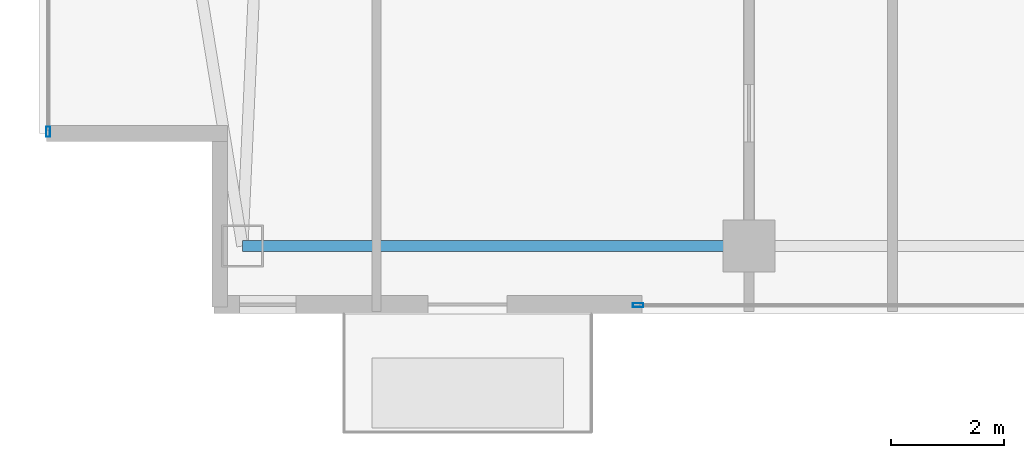
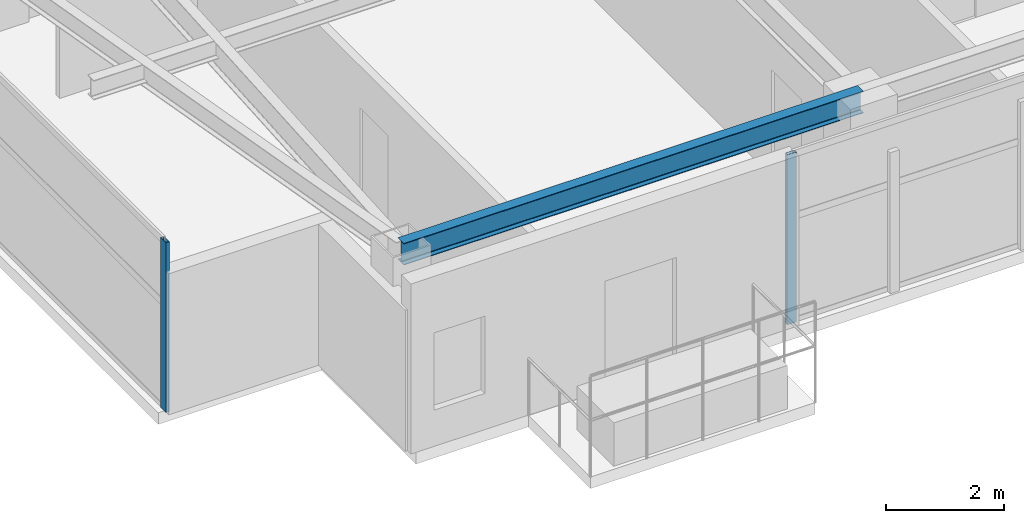
# One storey, part 2 of 27: 2 members, 1 beam, 2 elements without a shape of their own.
"""IFC4 building model written with IfcOpenShell, lengths in metres."""

import ifcopenshell
import ifcopenshell.guid

model = None  # the IFC model being written
_history = None  # IfcOwnerHistory: only IFC2X3 demands one
_inside = {}  # id of a spatial element -> (the spatial element, [elements in it])
_under = {}  # id of a project, library or spatial element -> (it, [spatial elements below it])
_declared = {}  # id of a project -> (the project, [libraries it declares])
_typed = {}  # id of a type object -> (the type object, [elements of that type])
_made_of = {}  # id of a material, layer set ... -> (it, [elements and type objects made of it])


def new_model(schema):
    """Start an empty IFC model of exactly this schema.

    Asked for "IFC4X3", IfcOpenShell would pick the latest addendum, in which some entities
    have other attributes; the version numbers below select the first issue.
    IFC2X3 requires an IfcOwnerHistory on every rooted entity: one is made here for all.
    """
    global model, _history
    if schema == "IFC4X3":
        model = ifcopenshell.file(schema_version=(4, 3, 0, 0))
    else:
        model = ifcopenshell.file(schema=schema)
    _inside.clear()
    _under.clear()
    _declared.clear()
    _typed.clear()
    _made_of.clear()
    _history = None
    if model.schema == "IFC2X3":
        org = make("IfcOrganization", Name="unknown")
        user = make(
            "IfcPersonAndOrganization",
            ThePerson=make("IfcPerson", FamilyName="unknown"),
            TheOrganization=org,
        )
        app = make(
            "IfcApplication",
            ApplicationDeveloper=org,
            Version="unknown",
            ApplicationFullName="unknown",
            ApplicationIdentifier="unknown",
        )
        _history = make(
            "IfcOwnerHistory",
            OwningUser=user,
            OwningApplication=app,
            ChangeAction="ADDED",
            CreationDate=0,
        )
    return model


def make(cls, **values):
    """One entity of the class cls with the attributes given. An attribute that is None is left unset."""
    return model.create_entity(
        cls, **{name: value for name, value in values.items() if value is not None}
    )


def rooted(cls, **values):
    """An entity with a GlobalId (a new one), such as an element, a storey or a relation."""
    return make(cls, GlobalId=ifcopenshell.guid.new(), OwnerHistory=_history, **values)


def si_unit(unit_type, name, prefix=None):
    """IfcSIUnit, for example si_unit("LENGTHUNIT", "METRE", prefix="MILLI")."""
    return make("IfcSIUnit", UnitType=unit_type, Prefix=prefix, Name=name)


def assignment(units):
    """IfcUnitAssignment: the units of a project."""
    return None if units is None else make("IfcUnitAssignment", Units=units)


def point(xyz):
    """IfcCartesianPoint."""
    return None if xyz is None else make("IfcCartesianPoint", Coordinates=xyz)


def direction(xyz):
    """IfcDirection."""
    return None if xyz is None else make("IfcDirection", DirectionRatios=xyz)


def frame(location, z_axis=None, x_axis=None):
    """IfcAxis2Placement3D, a coordinate frame: its origin and axes. An axis left out is left unset."""
    return make(
        "IfcAxis2Placement3D",
        Location=point(location),
        Axis=direction(z_axis),
        RefDirection=direction(x_axis),
    )


def frame_2d(location, x_axis=None):
    """IfcAxis2Placement2D, a coordinate frame in the plane: its origin and x axis."""
    return make(
        "IfcAxis2Placement2D", Location=point(location), RefDirection=direction(x_axis)
    )


def origin():
    """The frame at (0, 0, 0) with its axes left unset."""
    return frame((0.0, 0.0, 0.0))


def origin_2d():
    """The frame at (0, 0) in the plane with its x axis left unset."""
    return frame_2d((0.0, 0.0))


def place(relative_to, where):
    """IfcLocalPlacement: puts the frame where relative to a parent placement (None: the world)."""
    return make(
        "IfcLocalPlacement", PlacementRelTo=relative_to, RelativePlacement=where
    )


def context(
    kind, dimensions, precision=None, world=None, true_north=None, identifier=None
):
    """IfcGeometricRepresentationContext, for example the 3D "Model" context."""
    return make(
        "IfcGeometricRepresentationContext",
        ContextIdentifier=identifier,
        ContextType=kind,
        CoordinateSpaceDimension=dimensions,
        Precision=precision,
        WorldCoordinateSystem=world,
        TrueNorth=true_north,
    )


def subcontext(parent, identifier, kind, view, scale=None):
    """IfcGeometricRepresentationSubContext, for example "Body" below "Model"."""
    return make(
        "IfcGeometricRepresentationSubContext",
        ContextIdentifier=identifier,
        ContextType=kind,
        ParentContext=parent,
        TargetScale=scale,
        TargetView=view,
    )


def project(units=None, contexts=None):
    """IfcProject with its units and contexts."""
    return rooted(
        "IfcProject",
        Name="project",
        RepresentationContexts=contexts,
        UnitsInContext=assignment(units),
    )


def spatial(cls, under=None, at=None, **own):
    """A site, building, storey or space (cls), placed at a placement, below another one or the project."""
    s = rooted(cls, ObjectPlacement=at, **own)
    if under is not None:
        _under.setdefault(under.id(), (under, []))[1].append(s)
    return s


def profile(cls, at=None, kind="AREA", **sizes):
    """A parametric profile (cls). Its sizes go by their IFC names, for example OverallWidth=200.0."""
    return make(cls, ProfileType=kind, Position=at, **sizes)


def hollow_rectangle(**sizes):
    """IfcRectangleHollowProfileDef."""
    return profile("IfcRectangleHollowProfileDef", **sizes)


def i_section(**sizes):
    """IfcIShapeProfileDef."""
    return profile("IfcIShapeProfileDef", **sizes)


def extrude(swept, where, along, depth):
    """IfcExtrudedAreaSolid: the profile swept, set in the frame where, extruded along a direction by depth."""
    return make(
        "IfcExtrudedAreaSolid",
        SweptArea=swept,
        Position=where,
        ExtrudedDirection=direction(along),
        Depth=depth,
    )


def shape(context_of_items, identifier, shape_type, items):
    """IfcShapeRepresentation: the items that make up one representation, for example the "Body"."""
    return make(
        "IfcShapeRepresentation",
        ContextOfItems=context_of_items,
        RepresentationIdentifier=identifier,
        RepresentationType=shape_type,
        Items=items,
    )


def material(Name=None, Category=None):
    """IfcMaterial."""
    return make("IfcMaterial", Name=Name, Category=Category)


def layer(
    of_material, thickness, ventilated=None, Name=None, Category=None, Priority=None
):
    """IfcMaterialLayer: one layer of a wall or slab, of a material (None: an air gap)."""
    return make(
        "IfcMaterialLayer",
        Material=of_material,
        LayerThickness=thickness,
        IsVentilated=ventilated,
        Name=Name,
        Category=Category,
        Priority=Priority,
    )


def layer_set(layers, Name=None):
    """IfcMaterialLayerSet."""
    return make("IfcMaterialLayerSet", MaterialLayers=layers, LayerSetName=Name)


def material_profile(
    of_material, cross_section, Name=None, Category=None, Priority=None
):
    """IfcMaterialProfile: a cross section and its material."""
    return make(
        "IfcMaterialProfile",
        Name=Name,
        Material=of_material,
        Profile=cross_section,
        Priority=Priority,
        Category=Category,
    )


def profile_set(profiles, Name=None, composite=None):
    """IfcMaterialProfileSet."""
    return make(
        "IfcMaterialProfileSet",
        Name=Name,
        MaterialProfiles=profiles,
        CompositeProfile=composite,
    )


def made_of(thing, what):
    """Note that an element or type object is made of a material, layer set ...; save() writes the relation."""
    if what is not None:
        _made_of.setdefault(what.id(), (what, []))[1].append(thing)
    return thing


def type_object(cls, material=None, **own):
    """A type object (cls), such as IfcWallType, which elements share."""
    return made_of(rooted(cls, **own), material)


def element(
    cls,
    number,
    at=None,
    inside=None,
    cuts=None,
    type_object=None,
    material=None,
    context=None,
    identifier="Body",
    shape_type=None,
    held_by="IfcProductDefinitionShape",
    body=None,
    shapes=None,
    **own,
):
    """One element of the class cls, such as IfcWall. Its Tag is "e" and its number.

    at: its placement. inside: the storey or other place that contains it. cuts: it is an
    opening in that element (IfcRelVoidsElement). A single representation is given by context,
    identifier, shape_type and body (its items); several are given by shapes. held_by: the class
    of the entity that holds the representations. save() writes the other relations.
    """
    e = rooted(cls, Tag="e%d" % number, ObjectPlacement=at, **own)
    if body is not None:
        shapes = [shape(context, identifier, shape_type, body)]
    if shapes is not None:
        e.Representation = make(held_by, Representations=shapes)
    if inside is not None:
        _inside.setdefault(inside.id(), (inside, []))[1].append(e)
    if cuts is not None:
        rooted(
            "IfcRelVoidsElement", RelatingBuildingElement=cuts, RelatedOpeningElement=e
        )
    if type_object is not None:
        _typed.setdefault(type_object.id(), (type_object, []))[1].append(e)
    return made_of(e, material)


def aggregate(whole, parts):
    """IfcRelAggregates: a whole, such as a stair, and the parts it consists of."""
    return rooted("IfcRelAggregates", RelatingObject=whole, RelatedObjects=parts)


def save(model, path):
    """Write the relations noted so far, then the file.

    IfcRelAggregates (storeys below a building ...), IfcRelContainedInSpatialStructure (elements
    in a storey), IfcRelDefinesByType, IfcRelAssociatesMaterial and IfcRelDeclares: one each for
    every whole, place, type object, material and project.
    """
    for whole, parts in _under.values():
        aggregate(whole, parts)
    for where, things in _inside.values():
        rooted(
            "IfcRelContainedInSpatialStructure",
            RelatedElements=things,
            RelatingStructure=where,
        )
    for kind, things in _typed.values():
        rooted("IfcRelDefinesByType", RelatedObjects=things, RelatingType=kind)
    for what, things in _made_of.values():
        rooted("IfcRelAssociatesMaterial", RelatedObjects=things, RelatingMaterial=what)
    for by, libraries in _declared.values():
        rooted("IfcRelDeclares", RelatingContext=by, RelatedDefinitions=libraries)
    model.write(path)


model = new_model("IFC4")

# Units and contexts
model_context = context("Model", 3, precision=1e-05, world=origin(), true_north=direction((0.0, 1.0)))
body_context = subcontext(model_context, "Body", "Model", "MODEL_VIEW")
ifc_project = project(units=[si_unit("LENGTHUNIT", "METRE"), si_unit("AREAUNIT", "SQUARE_METRE"), si_unit("VOLUMEUNIT", "CUBIC_METRE"), si_unit("PLANEANGLEUNIT", "RADIAN"), si_unit("MASSUNIT", "GRAM", prefix="KILO")], contexts=[model_context])

# Site, building, storey
site_placement = place(None, origin())
site = spatial("IfcSite", under=ifc_project, at=site_placement, CompositionType="ELEMENT")
building_placement = place(site_placement, origin())
building = spatial("IfcBuilding", under=site, at=building_placement, Name="Calvorn Quay Hotel", CompositionType="ELEMENT")
storey_placement = place(building_placement, frame((0.0, 0.0, 230.699951171875)))
storey = spatial("IfcBuildingStorey", under=building, at=storey_placement, Name="L57", CompositionType="ELEMENT", Elevation=230.699951171875)

# Beam
ifc_material_1 = material(Name="Steel Q355B", Category="steel")
ifc_material_profile_1 = material_profile(ifc_material_1, i_section(OverallWidth=0.199951171875, OverallDepth=0.449951171875, WebThickness=0.009033203125, FlangeThickness=0.013916015625, FilletRadius=0.01611328125, at=origin_2d()), Name="HN450x200x9x14")
ifc_profile_set_1 = profile_set([ifc_material_profile_1], Name="Steel Q355B")
beam_type = type_object("IfcBeamType", Name="BM-SPANDREL-Z3", PredefinedType="SPANDREL", material=ifc_profile_set_1)
beam_placement = place(storey_placement, frame((3.60009765625, 3.60009765625, 3.295166015625), z_axis=(1.0, 0.0, 0.0), x_axis=(0.0, 1.0, 0.0)))
element("IfcBeam", 1, at=beam_placement, inside=storey, type_object=beam_type, Name="Beam BSP-L57-S1", PredefinedType="SPANDREL", context=body_context, shape_type="SweptSolid", body=[
    extrude(i_section(OverallWidth=0.199951171875, OverallDepth=0.449951171875, WebThickness=0.009033203125, FlangeThickness=0.013916015625, FilletRadius=0.01611328125, at=origin_2d()), origin(), (0.0, 0.0, 1.0), 9.0),
])

# Curtain wall, member
ifc_material_2 = material(Name="Champagne Bronze Anodised Aluminium and Low-E Glass", Category="aluminium")
ifc_layer = layer(ifc_material_2, 0.219970703125)
ifc_layer_set = layer_set([ifc_layer], Name="CW-SYS-Z3")
curtain_wall_type = type_object("IfcCurtainWallType", Name="CW-SYS-Z3", PredefinedType="NOTDEFINED", material=ifc_layer_set)
curtain_wall_1_placement = place(storey_placement, origin())
curtain_wall_1 = element("IfcCurtainWall", 2, at=curtain_wall_1_placement, inside=storey, type_object=curtain_wall_type, Name="Tower West Curtain Wall (L57)", PredefinedType="NOTDEFINED")
ifc_material_3 = material(Name="Champagne Bronze Anodised Aluminium 6063-T6", Category="aluminium")
ifc_material_profile_2 = material_profile(ifc_material_3, hollow_rectangle(XDim=0.068115234375, YDim=0.18505859375, WallThickness=0.00390625, at=origin_2d()), Name="ALU-M185x68x4")
ifc_profile_set_2 = profile_set([ifc_material_profile_2], Name="Champagne Bronze Anodised Aluminium 6063-T6")
member_type = type_object("IfcMemberType", Name="CW-SYS-Z3-MUL", PredefinedType="MULLION", material=ifc_profile_set_2)
member_1_placement = place(storey_placement, frame((0.14990234375, 5.6298828125, 0.0), z_axis=(0.0, 0.0, 1.0), x_axis=(-1.0, 0.0, 0.0)))
member_1 = element("IfcMember", 3, at=member_1_placement, type_object=member_type, Name="CW-L57-W mullion 1", PredefinedType="MULLION", context=body_context, shape_type="SweptSolid", body=[
    extrude(hollow_rectangle(XDim=0.068115234375, YDim=0.18505859375, WallThickness=0.00390625, at=origin_2d()), origin(), (0.0, 0.0, 1.0), 3.52001953125),
])
aggregate(curtain_wall_1, [member_1])

curtain_wall_2_placement = place(storey_placement, origin())
curtain_wall_2 = element("IfcCurtainWall", 4, at=curtain_wall_2_placement, inside=storey, type_object=curtain_wall_type, Name="Tower South Waterfront Curtain Wall (L57)", PredefinedType="NOTDEFINED")
member_2_placement = place(storey_placement, frame((10.6298828125, 2.550048828125, 0.0), z_axis=(0.0, 0.0, 1.0), x_axis=(0.0, 1.0, 0.0)))
member_2 = element("IfcMember", 5, at=member_2_placement, type_object=member_type, Name="CW-L57-S mullion 1", PredefinedType="MULLION", context=body_context, shape_type="SweptSolid", body=[
    extrude(hollow_rectangle(XDim=0.068115234375, YDim=0.18505859375, WallThickness=0.00390625, at=origin_2d()), origin(), (0.0, 0.0, 1.0), 3.52001953125),
])
aggregate(curtain_wall_2, [member_2])

save(model, "model.ifc")
